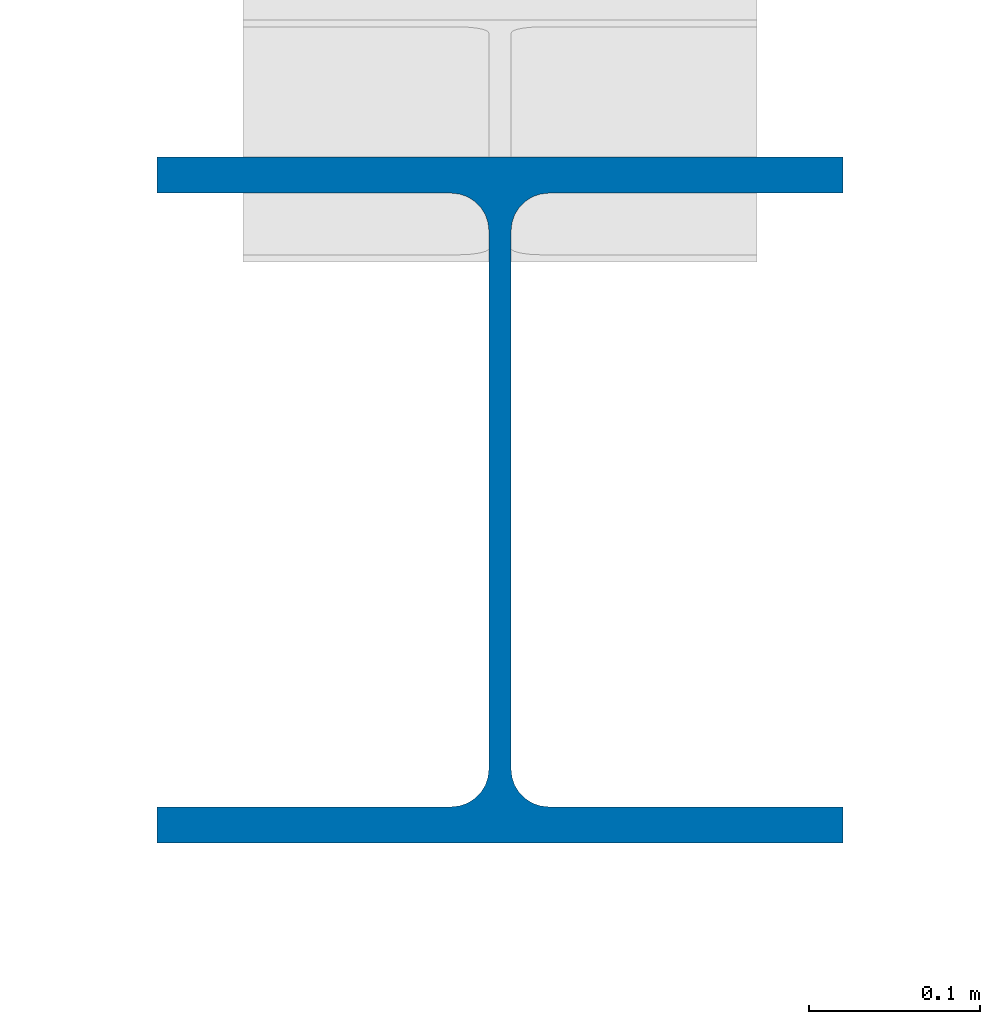
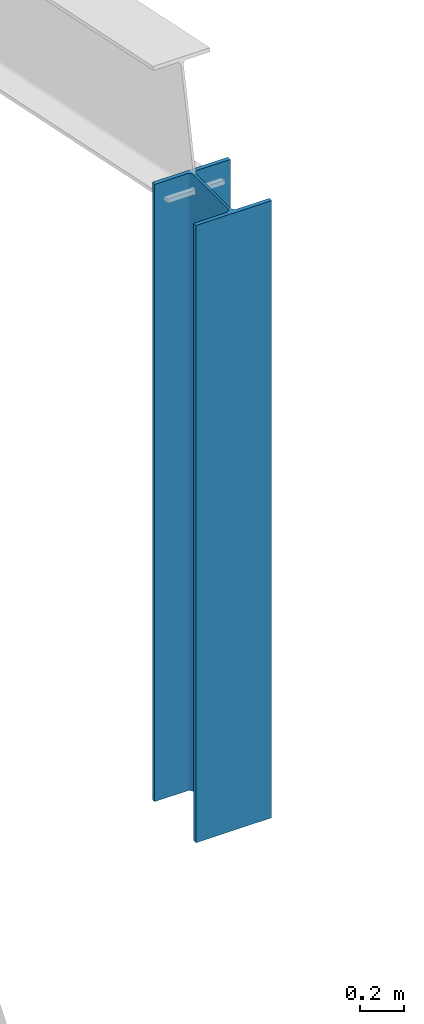
# One storey, part 7 of 96: 1 column.
"""IFC4 building model written with IfcOpenShell, lengths in metres."""

from ifc_helpers import new_model, si_unit, direction, frame, origin, origin_2d, place, context, subcontext, project, spatial, i_section, extrude, material, material_profile, profile_set, type_object, element, save


model = new_model("IFC4")

# Units and contexts
model_context = context("Model", 3, precision=1e-05, world=origin(), true_north=direction((0.0, 1.0)))
body_context = subcontext(model_context, "Body", "Model", "MODEL_VIEW")
ifc_project = project(units=[si_unit("LENGTHUNIT", "METRE"), si_unit("AREAUNIT", "SQUARE_METRE"), si_unit("VOLUMEUNIT", "CUBIC_METRE"), si_unit("PLANEANGLEUNIT", "RADIAN"), si_unit("MASSUNIT", "GRAM", prefix="KILO")], contexts=[model_context])

# Site, building, storey
site_placement = place(None, origin())
site = spatial("IfcSite", under=ifc_project, at=site_placement, CompositionType="ELEMENT")
building_placement = place(site_placement, origin())
building = spatial("IfcBuilding", under=site, at=building_placement, Name="Cresset Court Congress Hotel", CompositionType="ELEMENT")
storey_placement = place(building_placement, frame((0.0, 0.0, 6.0)))
storey = spatial("IfcBuildingStorey", under=building, at=storey_placement, Name="L01", CompositionType="ELEMENT", Elevation=6.0)

# Column
ifc_material = material(Name="Structural steel Q355B", Category="steel")
ifc_material_profile = material_profile(ifc_material, i_section(OverallWidth=0.39990234375, OverallDepth=0.39990234375, WebThickness=0.012939453125, FlangeThickness=0.02099609375, FilletRadius=0.02197265625, at=origin_2d()), Name="HW400x400x13x21")
ifc_profile_set = profile_set([ifc_material_profile], Name="Structural steel Q355B")
column_type = type_object("IfcColumnType", Name="Steel HW400x400x13x21 column", PredefinedType="COLUMN", material=ifc_profile_set)
column_placement = place(storey_placement, frame((69.89990234375, 79.39990234375, 0.0), z_axis=(0.0, 0.0, 1.0), x_axis=(1.0, 0.0, 0.0)))
element("IfcColumn", 1, at=column_placement, inside=storey, type_object=column_type, Name="Column CC-K1", PredefinedType="COLUMN", context=body_context, shape_type="SweptSolid", body=[
    extrude(i_section(OverallWidth=0.39990234375, OverallDepth=0.39990234375, WebThickness=0.012939453125, FlangeThickness=0.02099609375, FilletRadius=0.02197265625, at=origin_2d()), origin(), (0.0, 0.0, 1.0), 3.449951171875),
])

save(model, "model.ifc")
